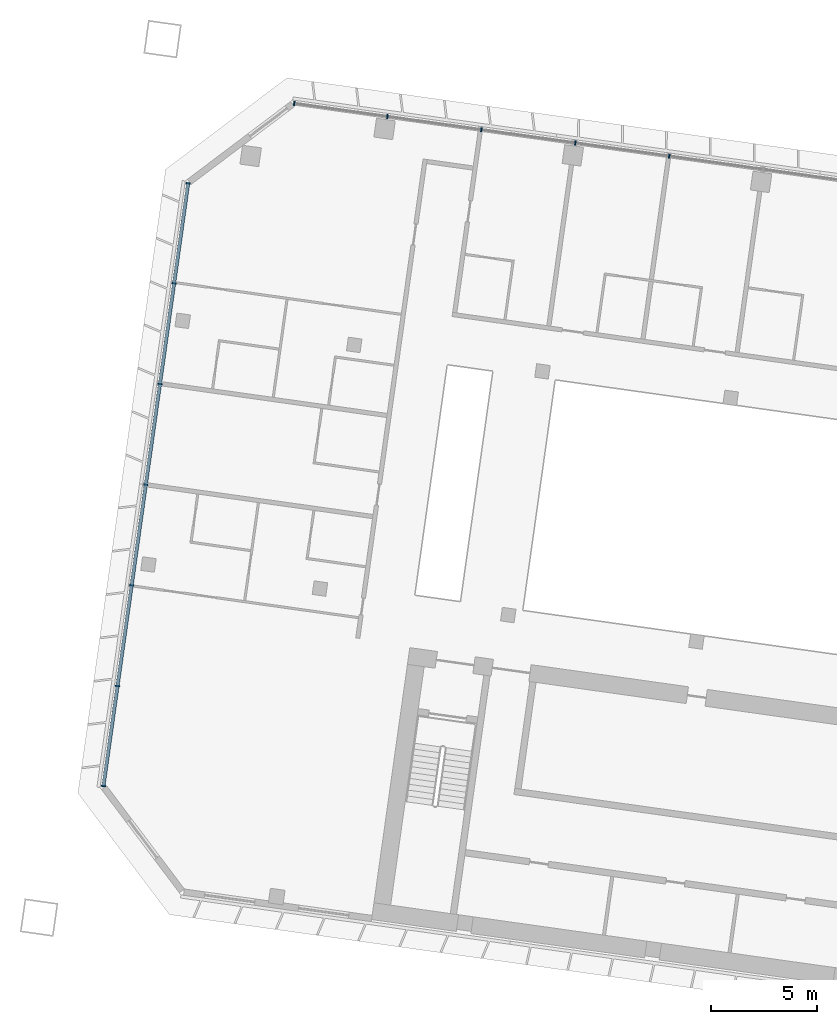
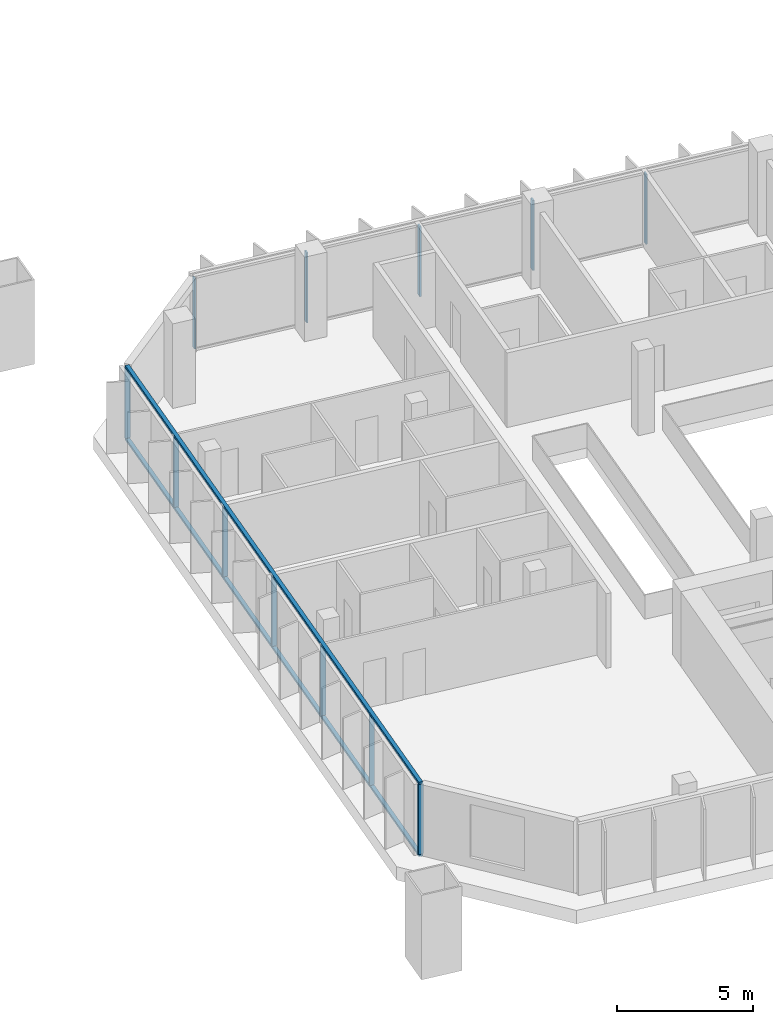
# One storey, part 2 of 26: 14 members, 2 elements without a shape of their own.
"""IFC4 building model written with IfcOpenShell, lengths in metres."""

from ifc_helpers import new_model, si_unit, direction, frame, origin, origin_2d, place, context, subcontext, project, spatial, rectangle, extrude, material, material_profile, profile_set, type_object, element, aggregate, save


model = new_model("IFC4")

# Units and contexts
model_context = context("Model", 3, precision=1e-05, world=origin(), true_north=direction((0.0, 1.0)))
body_context = subcontext(model_context, "Body", "Model", "MODEL_VIEW")
ifc_project = project(units=[si_unit("LENGTHUNIT", "METRE"), si_unit("AREAUNIT", "SQUARE_METRE"), si_unit("VOLUMEUNIT", "CUBIC_METRE"), si_unit("PLANEANGLEUNIT", "RADIAN"), si_unit("MASSUNIT", "GRAM", prefix="KILO")], contexts=[model_context])

# Site, building, storey
site_placement = place(None, origin())
site = spatial("IfcSite", under=ifc_project, at=site_placement, CompositionType="ELEMENT")
building_placement = place(site_placement, origin())
building = spatial("IfcBuilding", under=site, at=building_placement, Name="Mirante Cascada Hotel Towers", CompositionType="ELEMENT")
storey_placement = place(building_placement, frame((0.0, 0.0, 113.9)))
storey = spatial("IfcBuildingStorey", under=building, at=storey_placement, Name="L25", CompositionType="ELEMENT", Elevation=113.9)

# Curtain wall, members
ifc_material_1 = material(Name="Aluminium mullion and transom frame with clear laminated glass", Category="aluminium")
curtain_wall_type_1 = type_object("IfcCurtainWallType", Name="Ribbon curtain wall ECW1", PredefinedType="NOTDEFINED", material=ifc_material_1)
curtain_wall_1_placement = place(storey_placement, origin())
curtain_wall_1 = element("IfcCurtainWall", 1, at=curtain_wall_1_placement, inside=storey, type_object=curtain_wall_type_1, Name="Front ribbon wall T1 L25", PredefinedType="NOTDEFINED")
ifc_material_2 = material(Name="Anodised aluminium extrusion", Category="aluminium")
ifc_material_profile_1 = material_profile(ifc_material_2, rectangle(XDim=0.2, YDim=0.065, at=origin_2d()), Name="ECW1 MULLION 65x200")
ifc_profile_set_1 = profile_set([ifc_material_profile_1], Name="Anodised aluminium extrusion")
member_type_1 = type_object("IfcMemberType", Name="ECW1 mullion 65x200", PredefinedType="MULLION", material=ifc_profile_set_1)
member_1_placement = place(storey_placement, frame((-94.126, 26.0476, 0.1), z_axis=(0.0, 0.0, 1.0), x_axis=(0.1391731, 0.9902681, 0.0)))
member_1 = element("IfcMember", 2, at=member_1_placement, type_object=member_type_1, Name="ECW1 mullion 1", PredefinedType="MULLION", context=body_context, shape_type="SweptSolid", body=[
    extrude(rectangle(XDim=0.2, YDim=0.065, at=origin_2d()), origin(), (0.0, 0.0, 1.0), 3.15),
])
member_2_placement = place(storey_placement, frame((-89.7107, 25.427, 0.1), z_axis=(0.0, 0.0, 1.0), x_axis=(0.1391731, 0.9902681, 0.0)))
member_2 = element("IfcMember", 3, at=member_2_placement, type_object=member_type_1, Name="ECW1 mullion 2", PredefinedType="MULLION", context=body_context, shape_type="SweptSolid", body=[
    extrude(rectangle(XDim=0.2, YDim=0.065, at=origin_2d()), origin(), (0.0, 0.0, 1.0), 3.15),
])
member_3_placement = place(storey_placement, frame((-85.2633, 24.802, 0.1), z_axis=(0.0, 0.0, 1.0), x_axis=(0.1391731, 0.9902681, 0.0)))
member_3 = element("IfcMember", 4, at=member_3_placement, type_object=member_type_1, Name="ECW1 mullion 3", PredefinedType="MULLION", context=body_context, shape_type="SweptSolid", body=[
    extrude(rectangle(XDim=0.2, YDim=0.065, at=origin_2d()), origin(), (0.0, 0.0, 1.0), 3.15),
])
member_4_placement = place(storey_placement, frame((-80.8159, 24.177, 0.1), z_axis=(0.0, 0.0, 1.0), x_axis=(0.1391731, 0.9902681, 0.0)))
member_4 = element("IfcMember", 5, at=member_4_placement, type_object=member_type_1, Name="ECW1 mullion 4", PredefinedType="MULLION", context=body_context, shape_type="SweptSolid", body=[
    extrude(rectangle(XDim=0.2, YDim=0.065, at=origin_2d()), origin(), (0.0, 0.0, 1.0), 3.15),
])
member_5_placement = place(storey_placement, frame((-76.3685, 23.5519, 0.1), z_axis=(0.0, 0.0, 1.0), x_axis=(0.1391731, 0.9902681, 0.0)))
member_5 = element("IfcMember", 6, at=member_5_placement, type_object=member_type_1, Name="ECW1 mullion 5", PredefinedType="MULLION", context=body_context, shape_type="SweptSolid", body=[
    extrude(rectangle(XDim=0.2, YDim=0.065, at=origin_2d()), origin(), (0.0, 0.0, 1.0), 3.15),
])
aggregate(curtain_wall_1, [member_1, member_2, member_3, member_4, member_5])

ifc_material_3 = material(Name="Aluminium mullion and transom frame with clear laminated glass", Category="aluminium")
curtain_wall_type_2 = type_object("IfcCurtainWallType", Name="End ribbon curtain wall ECW2", PredefinedType="NOTDEFINED", material=ifc_material_3)
curtain_wall_2_placement = place(storey_placement, origin())
curtain_wall_2 = element("IfcCurtainWall", 7, at=curtain_wall_2_placement, inside=storey, type_object=curtain_wall_type_2, Name="Outer end wall T1 L25", PredefinedType="NOTDEFINED")
ifc_material_4 = material(Name="Anodised aluminium extrusion", Category="aluminium")
ifc_material_profile_2 = material_profile(ifc_material_4, rectangle(XDim=0.2, YDim=0.065, at=origin_2d()), Name="ECW2 MULLION 65x200")
ifc_profile_set_2 = profile_set([ifc_material_profile_2], Name="Anodised aluminium extrusion")
member_type_2 = type_object("IfcMemberType", Name="ECW2 mullion 65x200", PredefinedType="MULLION", material=ifc_profile_set_2)
member_6_placement = place(storey_placement, frame((-103.1556, -6.2656, 0.1), z_axis=(0.0, 0.0, 1.0), x_axis=(-0.9902681, 0.1391731, 0.0)))
member_6 = element("IfcMember", 8, at=member_6_placement, type_object=member_type_2, Name="ECW2 mullion 1", PredefinedType="MULLION", context=body_context, shape_type="SweptSolid", body=[
    extrude(rectangle(XDim=0.2, YDim=0.065, at=origin_2d()), origin(), (0.0, 0.0, 1.0), 3.15),
])
member_7_placement = place(storey_placement, frame((-102.4903, -1.532, 0.1), z_axis=(0.0, 0.0, 1.0), x_axis=(-0.9902681, 0.1391731, 0.0)))
member_7 = element("IfcMember", 9, at=member_7_placement, type_object=member_type_2, Name="ECW2 mullion 2", PredefinedType="MULLION", context=body_context, shape_type="SweptSolid", body=[
    extrude(rectangle(XDim=0.2, YDim=0.065, at=origin_2d()), origin(), (0.0, 0.0, 1.0), 3.15),
])
member_8_placement = place(storey_placement, frame((-101.8205, 3.2338, 0.1), z_axis=(0.0, 0.0, 1.0), x_axis=(-0.9902681, 0.1391731, 0.0)))
member_8 = element("IfcMember", 10, at=member_8_placement, type_object=member_type_2, Name="ECW2 mullion 3", PredefinedType="MULLION", context=body_context, shape_type="SweptSolid", body=[
    extrude(rectangle(XDim=0.2, YDim=0.065, at=origin_2d()), origin(), (0.0, 0.0, 1.0), 3.15),
])
member_9_placement = place(storey_placement, frame((-101.1508, 7.9996, 0.1), z_axis=(0.0, 0.0, 1.0), x_axis=(-0.9902681, 0.1391731, 0.0)))
member_9 = element("IfcMember", 11, at=member_9_placement, type_object=member_type_2, Name="ECW2 mullion 4", PredefinedType="MULLION", context=body_context, shape_type="SweptSolid", body=[
    extrude(rectangle(XDim=0.2, YDim=0.065, at=origin_2d()), origin(), (0.0, 0.0, 1.0), 3.15),
])
member_10_placement = place(storey_placement, frame((-100.481, 12.7654, 0.1), z_axis=(0.0, 0.0, 1.0), x_axis=(-0.9902681, 0.1391731, 0.0)))
member_10 = element("IfcMember", 12, at=member_10_placement, type_object=member_type_2, Name="ECW2 mullion 5", PredefinedType="MULLION", context=body_context, shape_type="SweptSolid", body=[
    extrude(rectangle(XDim=0.2, YDim=0.065, at=origin_2d()), origin(), (0.0, 0.0, 1.0), 3.15),
])
member_11_placement = place(storey_placement, frame((-99.8112, 17.5312, 0.1), z_axis=(0.0, 0.0, 1.0), x_axis=(-0.9902681, 0.1391731, 0.0)))
member_11 = element("IfcMember", 13, at=member_11_placement, type_object=member_type_2, Name="ECW2 mullion 6", PredefinedType="MULLION", context=body_context, shape_type="SweptSolid", body=[
    extrude(rectangle(XDim=0.2, YDim=0.065, at=origin_2d()), origin(), (0.0, 0.0, 1.0), 3.15),
])
member_12_placement = place(storey_placement, frame((-99.1459, 22.2648, 0.1), z_axis=(0.0, 0.0, 1.0), x_axis=(-0.9902681, 0.1391731, 0.0)))
member_12 = element("IfcMember", 14, at=member_12_placement, type_object=member_type_2, Name="ECW2 mullion 7", PredefinedType="MULLION", context=body_context, shape_type="SweptSolid", body=[
    extrude(rectangle(XDim=0.2, YDim=0.065, at=origin_2d()), origin(), (0.0, 0.0, 1.0), 3.15),
])
ifc_material_5 = material(Name="Anodised aluminium extrusion", Category="aluminium")
ifc_material_profile_3 = material_profile(ifc_material_5, rectangle(XDim=0.16, YDim=0.1, at=origin_2d()), Name="ECW2 TRANSOM 100x160")
ifc_profile_set_3 = profile_set([ifc_material_profile_3], Name="Anodised aluminium extrusion")
member_type_3 = type_object("IfcMemberType", Name="ECW2 transom 100x160", PredefinedType="USERDEFINED", material=ifc_profile_set_3)
member_13_placement = place(storey_placement, frame((-103.1601, -6.2978, 0.05), z_axis=(0.1391723, 0.9902682, 0.0), x_axis=(-0.9902682, 0.1391723, 0.0)))
member_13 = element("IfcMember", 15, at=member_13_placement, type_object=member_type_3, Name="ECW2 sill transom", ObjectType="TRANSOM", PredefinedType="USERDEFINED", context=body_context, shape_type="SweptSolid", body=[
    extrude(rectangle(XDim=0.16, YDim=0.1, at=origin_2d()), origin(), (0.0, 0.0, 1.0), 28.8757),
])
member_14_placement = place(storey_placement, frame((-103.1601, -6.2978, 3.3), z_axis=(0.1391723, 0.9902682, 0.0), x_axis=(-0.9902682, 0.1391723, 0.0)))
member_14 = element("IfcMember", 16, at=member_14_placement, type_object=member_type_3, Name="ECW2 head transom", ObjectType="TRANSOM", PredefinedType="USERDEFINED", context=body_context, shape_type="SweptSolid", body=[
    extrude(rectangle(XDim=0.16, YDim=0.1, at=origin_2d()), origin(), (0.0, 0.0, 1.0), 28.8757),
])
aggregate(curtain_wall_2, [member_13, member_14, member_6, member_7, member_8, member_9, member_10, member_11, member_12])

save(model, "model.ifc")
